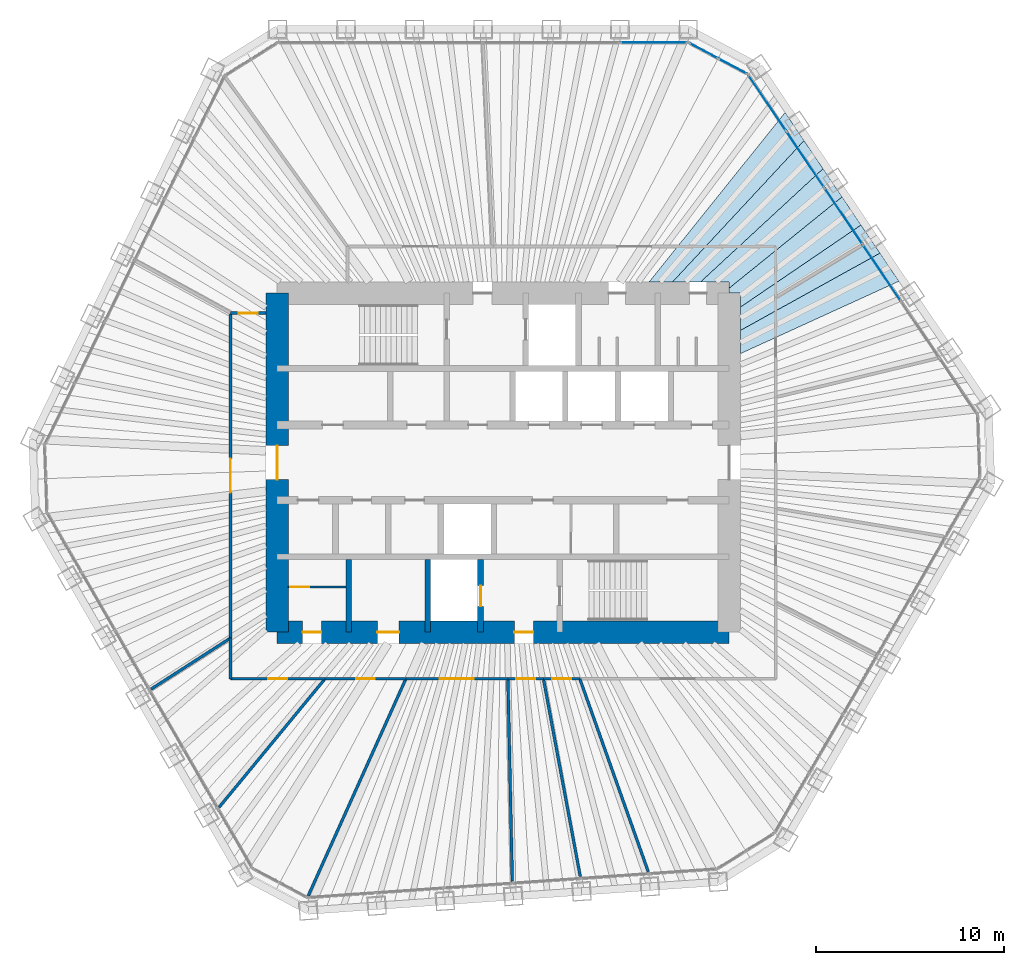
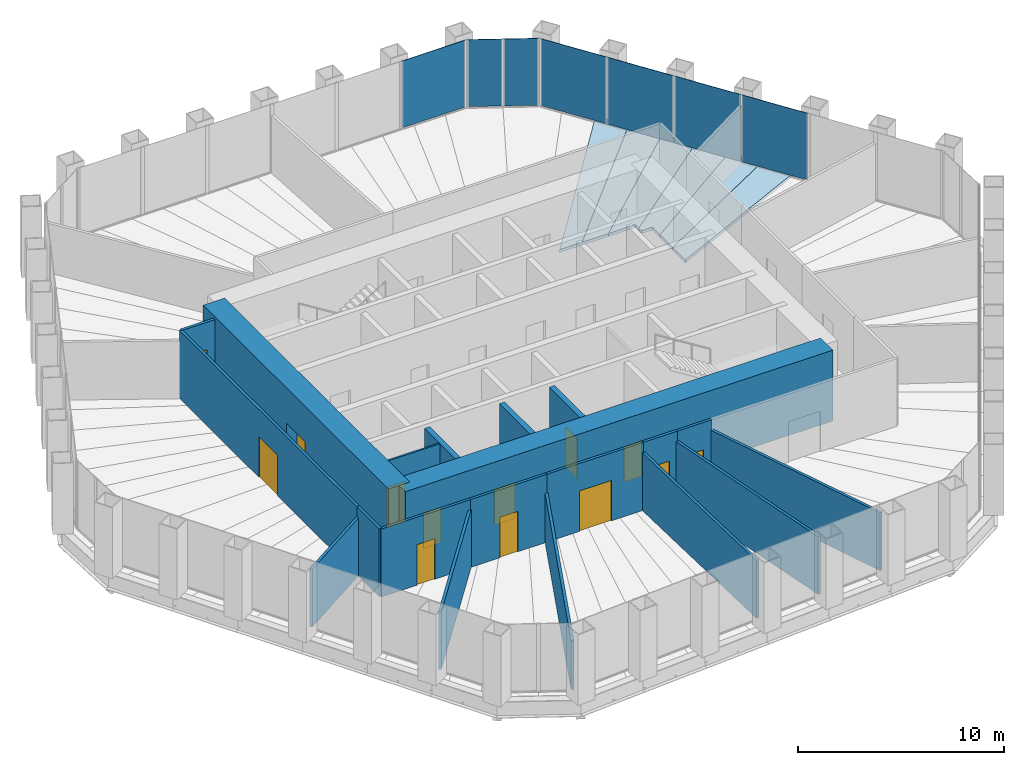
# One storey, part 10 of 13: 20 walls, 13 doors, 7 plates, 6 slabs, 13 openings, 3 elements without a shape of their own.
"""IFC4 building model written with IfcOpenShell, lengths in metres."""

from ifc_helpers import new_model, si_unit, direction, frame, frame_2d, origin, origin_2d, place, context, subcontext, project, spatial, polyline, rectangle, outline, extrude, material, layer, layer_set, type_object, element, fill, aggregate, save


model = new_model("IFC4")

# Units and contexts
model_context = context("Model", 3, precision=1e-05, world=origin(), true_north=direction((0.0, 1.0)))
body_context = subcontext(model_context, "Body", "Model", "MODEL_VIEW")
ifc_project = project(units=[si_unit("LENGTHUNIT", "METRE"), si_unit("AREAUNIT", "SQUARE_METRE"), si_unit("VOLUMEUNIT", "CUBIC_METRE"), si_unit("PLANEANGLEUNIT", "RADIAN"), si_unit("MASSUNIT", "GRAM", prefix="KILO")], contexts=[model_context])

# Site, building, storey
site_placement = place(None, origin())
site = spatial("IfcSite", under=ifc_project, at=site_placement, CompositionType="ELEMENT")
building_placement = place(site_placement, origin())
building = spatial("IfcBuilding", under=site, at=building_placement, Name="Qingtian Harvest Tower", CompositionType="ELEMENT")
storey_placement = place(building_placement, frame((0.0, 0.0, 222.39990234375)))
storey = spatial("IfcBuildingStorey", under=building, at=storey_placement, Name="L48", CompositionType="ELEMENT", Elevation=222.39990234375)

# Slabs
ifc_material_1 = material(Name="Concrete fc' 35 MPa", Category="concrete")
ifc_layer_1 = layer(ifc_material_1, 0.169921875)
ifc_layer_set_1 = layer_set([ifc_layer_1], Name="Composite floor slab FS17 170")
slab_type = type_object("IfcSlabType", Name="Composite floor slab FS17 170", PredefinedType="FLOOR", material=ifc_layer_set_1)
slab_1_placement = place(storey_placement, frame((0.0, 0.0, -0.169921875)))
element("IfcSlab", 1, at=slab_1_placement, inside=storey, type_object=slab_type, Name="Floor slab L48 panel D45", PredefinedType="FLOOR", context=body_context, shape_type="SweptSolid", body=[
    extrude(outline(polyline([(12.60009765625, 7.023681640625), (20.003662109375, 11.125244140625), (21.010986328125, 9.6318359375), (12.60009765625, 5.7900390625), (12.60009765625, 7.023681640625)])), origin(), (0.0, 0.0, 1.0), 0.169921875),
])
slab_2_placement = place(storey_placement, frame((0.0, 0.0, -0.169921875)))
element("IfcSlab", 2, at=slab_2_placement, inside=storey, type_object=slab_type, Name="Floor slab L48 panel D46", PredefinedType="FLOOR", context=body_context, shape_type="SweptSolid", body=[
    extrude(outline(polyline([(12.60009765625, 8.260498046875), (18.997802734375, 12.61669921875), (20.003662109375, 11.125244140625), (12.60009765625, 7.023681640625), (12.60009765625, 8.260498046875)])), origin(), (0.0, 0.0, 1.0), 0.169921875),
])
slab_3_placement = place(storey_placement, frame((0.0, 0.0, -0.169921875)))
element("IfcSlab", 3, at=slab_3_placement, inside=storey, type_object=slab_type, Name="Floor slab L48 panel D47", PredefinedType="FLOOR", context=body_context, shape_type="SweptSolid", body=[
    extrude(outline(polyline([(12.60009765625, 9.0), (12.0, 9.0), (12.0, 9.2666015625), (17.99072265625, 14.109375), (18.997802734375, 12.61669921875), (12.60009765625, 8.260498046875), (12.60009765625, 9.0)])), origin(), (0.0, 0.0, 1.0), 0.169921875),
])
slab_4_placement = place(storey_placement, frame((0.0, 0.0, -0.169921875)))
element("IfcSlab", 4, at=slab_4_placement, inside=storey, type_object=slab_type, Name="Floor slab L48 panel D48", PredefinedType="FLOOR", context=body_context, shape_type="SweptSolid", body=[
    extrude(outline(polyline([(12.0, 9.60009765625), (10.48583984375, 9.60009765625), (16.982177734375, 15.604736328125), (17.99072265625, 14.109375), (12.0, 9.2666015625), (12.0, 9.60009765625)])), origin(), (0.0, 0.0, 1.0), 0.169921875),
])
slab_5_placement = place(storey_placement, frame((0.0, 0.0, -0.169921875)))
element("IfcSlab", 5, at=slab_5_placement, inside=storey, type_object=slab_type, Name="Floor slab L48 panel D49", PredefinedType="FLOOR", context=body_context, shape_type="SweptSolid", body=[
    extrude(outline(polyline([(8.998291015625, 9.60009765625), (15.974853515625, 17.098388671875), (16.982177734375, 15.604736328125), (10.48583984375, 9.60009765625), (8.998291015625, 9.60009765625)])), origin(), (0.0, 0.0, 1.0), 0.169921875),
])
slab_6_placement = place(storey_placement, frame((0.0, 0.0, -0.169921875)))
element("IfcSlab", 6, at=slab_6_placement, inside=storey, type_object=slab_type, Name="Floor slab L48 panel D50", PredefinedType="FLOOR", context=body_context, shape_type="SweptSolid", body=[
    extrude(outline(polyline([(7.751220703125, 9.60009765625), (14.967529296875, 18.591796875), (15.974853515625, 17.098388671875), (8.998291015625, 9.60009765625), (7.751220703125, 9.60009765625)])), origin(), (0.0, 0.0, 1.0), 0.169921875),
])

# Curtain wall, plate
ifc_material_2 = material(Name="Bronze-anodised aluminium curtain wall", Category="aluminium")
curtain_wall_type = type_object("IfcCurtainWallType", Name="Curtain wall CW4 office", PredefinedType="USERDEFINED", material=ifc_material_2)
curtain_wall_1_placement = place(storey_placement, origin())
curtain_wall_1 = element("IfcCurtainWall", 7, at=curtain_wall_1_placement, inside=storey, type_object=curtain_wall_type, Name="Curtain wall CW4 L48 N0-5", ObjectType="RECESSED CURTAIN WALL", PredefinedType="USERDEFINED")
ifc_material_3 = material(Name="Bronze-tinted laminated insulating glass", Category="glass")
ifc_layer_2 = layer(ifc_material_3, 0.030029296875)
ifc_layer_set_2 = layer_set([ifc_layer_2], Name="Glazed panel CWP tinted IGU")
plate_type = type_object("IfcPlateType", Name="Glazed panel CWP tinted IGU", PredefinedType="CURTAIN_PANEL", material=ifc_layer_set_2)
plate_1_placement = place(storey_placement, frame((7.996337890625, 22.300048828125, 0.06494140625), z_axis=(0.0, 0.0, 1.0), x_axis=(1.0, 0.0, 0.0)))
plate_1 = element("IfcPlate", 8, at=plate_1_placement, type_object=plate_type, Name="CW4 panel 6.1", PredefinedType="CURTAIN_PANEL", context=body_context, shape_type="SweptSolid", body=[
    extrude(rectangle(XDim=3.5361328125, YDim=0.030029296875, at=origin_2d()), origin(), (0.0, 0.0, 1.0), 3.965087890625),
])
aggregate(curtain_wall_1, [plate_1])

# Curtain wall, plates
curtain_wall_2_placement = place(storey_placement, origin())
curtain_wall_2 = element("IfcCurtainWall", 9, at=curtain_wall_2_placement, inside=storey, type_object=curtain_wall_type, Name="Curtain wall CW4 L48 NC", ObjectType="RECESSED CURTAIN WALL", PredefinedType="USERDEFINED")
plate_2_placement = place(storey_placement, frame((10.634033203125, 21.8720703125, 0.06494140625), z_axis=(0.0, 0.0, 1.0), x_axis=(0.882947592859, -0.469471562786, 0.0)))
plate_2 = element("IfcPlate", 10, at=plate_2_placement, type_object=plate_type, Name="CW4 panel 1.1", PredefinedType="CURTAIN_PANEL", context=body_context, shape_type="SweptSolid", body=[
    extrude(rectangle(XDim=1.69287109375, YDim=0.030029296875, at=origin_2d()), origin(), (0.0, 0.0, 1.0), 3.965087890625),
])
plate_3_placement = place(storey_placement, frame((12.186279296875, 21.046875, 0.06494140625), z_axis=(0.0, 0.0, 1.0), x_axis=(0.882947592859, -0.469471562786, 0.0)))
plate_3 = element("IfcPlate", 11, at=plate_3_placement, type_object=plate_type, Name="CW4 panel 2.1", PredefinedType="CURTAIN_PANEL", context=body_context, shape_type="SweptSolid", body=[
    extrude(rectangle(XDim=1.69287109375, YDim=0.030029296875, at=origin_2d()), origin(), (0.0, 0.0, 1.0), 3.965087890625),
])
aggregate(curtain_wall_2, [plate_2, plate_3])

curtain_wall_3_placement = place(storey_placement, origin())
curtain_wall_3 = element("IfcCurtainWall", 12, at=curtain_wall_3_placement, inside=storey, type_object=curtain_wall_type, Name="Curtain wall CW4 L48 NE0-5", ObjectType="RECESSED CURTAIN WALL", PredefinedType="USERDEFINED")
plate_4_placement = place(storey_placement, frame((14.01611328125, 19.09912109375, 0.06494140625), z_axis=(0.0, 0.0, 1.0), x_axis=(0.559192903471, -0.829037572555, 0.0)))
plate_4 = element("IfcPlate", 13, at=plate_4_placement, type_object=plate_type, Name="CW4 panel 1.1", PredefinedType="CURTAIN_PANEL", context=body_context, shape_type="SweptSolid", body=[
    extrude(rectangle(XDim=3.5361328125, YDim=0.030029296875, at=origin_2d()), origin(), (0.0, 0.0, 1.0), 3.965087890625),
])
plate_5_placement = place(storey_placement, frame((16.038818359375, 16.100341796875, 0.06494140625), z_axis=(0.0, 0.0, 1.0), x_axis=(0.559192903471, -0.829037572555, 0.0)))
plate_5 = element("IfcPlate", 14, at=plate_5_placement, type_object=plate_type, Name="CW4 panel 2.1", PredefinedType="CURTAIN_PANEL", context=body_context, shape_type="SweptSolid", body=[
    extrude(rectangle(XDim=3.568603515625, YDim=0.030029296875, at=origin_2d()), origin(), (0.0, 0.0, 1.0), 3.965087890625),
])
plate_6_placement = place(storey_placement, frame((18.07080078125, 13.087890625, 0.06494140625), z_axis=(0.0, 0.0, 1.0), x_axis=(0.559192903471, -0.829037572555, 0.0)))
plate_6 = element("IfcPlate", 15, at=plate_6_placement, type_object=plate_type, Name="CW4 panel 3.1", PredefinedType="CURTAIN_PANEL", context=body_context, shape_type="SweptSolid", body=[
    extrude(rectangle(XDim=3.568603515625, YDim=0.030029296875, at=origin_2d()), origin(), (0.0, 0.0, 1.0), 3.965087890625),
])
plate_7_placement = place(storey_placement, frame((20.1025390625, 10.07568359375, 0.06494140625), z_axis=(0.0, 0.0, 1.0), x_axis=(0.559192903471, -0.829037572555, 0.0)))
plate_7 = element("IfcPlate", 16, at=plate_7_placement, type_object=plate_type, Name="CW4 panel 4.1", PredefinedType="CURTAIN_PANEL", context=body_context, shape_type="SweptSolid", body=[
    extrude(rectangle(XDim=3.568603515625, YDim=0.030029296875, at=origin_2d()), origin(), (0.0, 0.0, 1.0), 3.965087890625),
])
aggregate(curtain_wall_3, [plate_4, plate_5, plate_6, plate_7])

# Walls
ifc_material_4 = material(Name="Precast concrete shaft panel", Category="concrete")
ifc_layer_3 = layer(ifc_material_4, 0.300048828125)
ifc_layer_set_3 = layer_set([ifc_layer_3], Name="Core shaft partition SW1 300")
wall_type_1 = type_object("IfcWallType", Name="Core shaft partition SW1 300", PredefinedType="PARTITIONING", material=ifc_layer_set_3)
for number, where, z_axis, x_axis, name in (
    (17, (-8.199951171875, -9.0, 0.0), (0.0, 0.0, 1.0), (0.0, 1.0, 0.0), "Core shaft partition XS1 L48"),
    (18, (-4.0, -9.0, 0.0), (0.0, 0.0, 1.0), (0.0, 1.0, 0.0), "Core shaft partition XS2 L48"),
):
    element("IfcWall", number, at=place(storey_placement, frame(where, z_axis=z_axis, x_axis=x_axis)), inside=storey, type_object=wall_type_1, Name=name, PredefinedType="PARTITIONING", context=body_context, shape_type="SweptSolid", body=[
        extrude(rectangle(XDim=3.85009765625, YDim=0.300048828125, at=frame_2d((1.925048828125, 0.0))), origin(), (0.0, 0.0, 1.0), 3.97998046875),
    ])

# Wall, opening, door
wall_1_placement = place(storey_placement, frame((-1.199951171875, -9.0, 0.0), z_axis=(0.0, 0.0, 1.0), x_axis=(0.0, 1.0, 0.0)))
wall_1 = element("IfcWall", 19, at=wall_1_placement, inside=storey, type_object=wall_type_1, Name="Core shaft partition XS3 L48", PredefinedType="PARTITIONING", context=body_context, shape_type="SweptSolid", body=[
    extrude(rectangle(XDim=3.85009765625, YDim=0.300048828125, at=frame_2d((1.925048828125, 0.0))), origin(), (0.0, 0.0, 1.0), 3.97998046875),
])
opening_1_placement = place(wall_1_placement, frame((1.375, 0.0, 0.0)))
opening_1 = element("IfcOpeningElement", 20, at=opening_1_placement, cuts=wall_1, Name="Opening LD1", PredefinedType="OPENING", context=body_context, shape_type="SweptSolid", body=[
    extrude(rectangle(XDim=1.10009765625, YDim=2.39990234375, at=frame_2d((0.550048828125, 1.199951171875))), frame((0.0, 0.159912109375, 0.0), z_axis=(0.0, -1.0, 0.0), x_axis=(1.0, 0.0, 0.0)), (0.0, 0.0, 1.0), 0.320068359375),
])
ifc_material_5 = material(Name="Stainless steel lift landing door", Category="steel")
door_type_1 = type_object("IfcDoorType", Name="Lift landing door LD1 1 HR", OperationType="DOUBLE_DOOR_SLIDING", PredefinedType="DOOR", material=ifc_material_5)
door_1_placement = place(opening_1_placement, origin())
door_1 = element("IfcDoor", 21, at=door_1_placement, inside=storey, type_object=door_type_1, Name="FL2 landing door L48", OperationType="DOUBLE_DOOR_SLIDING", OverallHeight=2.39990234375, OverallWidth=1.10009765625, PredefinedType="DOOR", context=body_context, shape_type="SweptSolid", body=[
    extrude(rectangle(XDim=1.10009765625, YDim=2.39990234375, at=frame_2d((0.550048828125, 1.199951171875))), frame((0.0, 0.02490234375, 0.0), z_axis=(0.0, -1.0, 0.0), x_axis=(1.0, 0.0, 0.0)), (0.0, 0.0, 1.0), 0.050048828125),
])
fill(opening_1, door_1)

# Wall, openings, doors
ifc_material_6 = material(Name="Concrete fc' 70 MPa", Category="concrete")
ifc_layer_4 = layer(ifc_material_6, 1.199951171875)
ifc_layer_set_4 = layer_set([ifc_layer_4], Name="Core wall RC2 1200")
wall_type_2 = type_object("IfcWallType", Name="Core wall RC2 1200", PredefinedType="SHEAR", material=ifc_layer_set_4)
wall_2_placement = place(storey_placement, frame((-12.0, -9.0, 0.0), z_axis=(0.0, 0.0, 1.0), x_axis=(1.0, 0.0, 0.0)))
wall_2 = element("IfcWall", 22, at=wall_2_placement, inside=storey, type_object=wall_type_2, Name="Core wall CS L48", PredefinedType="SHEAR", context=body_context, shape_type="SweptSolid", body=[
    extrude(rectangle(XDim=24.0, YDim=1.199951171875, at=frame_2d((12.0, 0.0))), origin(), (0.0, 0.0, 1.0), 4.2001953125),
])
opening_2_placement = place(wall_2_placement, frame((1.35009765625, 0.0, 0.0)))
opening_2 = element("IfcOpeningElement", 23, at=opening_2_placement, cuts=wall_2, Name="Opening FD1", PredefinedType="OPENING", context=body_context, shape_type="SweptSolid", body=[
    extrude(rectangle(XDim=1.0, YDim=2.10009765625, at=frame_2d((0.5, 1.050048828125))), frame((0.0, 0.60986328125, 0.0), z_axis=(0.0, -1.0, 0.0), x_axis=(1.0, 0.0, 0.0)), (0.0, 0.0, 1.0), 1.219970703125),
])
opening_3_placement = place(wall_2_placement, frame((5.324951171875, 0.0, 0.0)))
opening_3 = element("IfcOpeningElement", 24, at=opening_3_placement, cuts=wall_2, Name="Opening AD1", PredefinedType="OPENING", context=body_context, shape_type="SweptSolid", body=[
    extrude(rectangle(XDim=1.14990234375, YDim=2.10009765625, at=frame_2d((0.574951171875, 1.050048828125))), frame((0.0, 0.60986328125, 0.0), z_axis=(0.0, -1.0, 0.0), x_axis=(1.0, 0.0, 0.0)), (0.0, 0.0, 1.0), 1.219970703125),
])
opening_4_placement = place(wall_2_placement, frame((12.60009765625, 0.0, 0.0)))
opening_4 = element("IfcOpeningElement", 25, at=opening_4_placement, cuts=wall_2, Name="Opening FD1", PredefinedType="OPENING", context=body_context, shape_type="SweptSolid", body=[
    extrude(rectangle(XDim=1.0, YDim=2.10009765625, at=frame_2d((0.5, 1.050048828125))), frame((0.0, 0.60986328125, 0.0), z_axis=(0.0, -1.0, 0.0), x_axis=(1.0, 0.0, 0.0)), (0.0, 0.0, 1.0), 1.219970703125),
])
ifc_material_7 = material(Name="Laminated timber door leaf", Category="wood")
door_type_2 = type_object("IfcDoorType", Name="Accessible WC door AD1 single", OperationType="SINGLE_SWING_LEFT", PredefinedType="DOOR", material=ifc_material_7)
door_2_placement = place(opening_3_placement, origin())
door_2 = element("IfcDoor", 26, at=door_2_placement, inside=storey, type_object=door_type_2, Name="AWC door L48", OperationType="SINGLE_SWING_LEFT", OverallHeight=2.10009765625, OverallWidth=1.14990234375, PredefinedType="DOOR", context=body_context, shape_type="SweptSolid", body=[
    extrude(rectangle(XDim=1.14990234375, YDim=2.10009765625, at=frame_2d((0.574951171875, 1.050048828125))), frame((0.0, 0.02490234375, 0.0), z_axis=(0.0, -1.0, 0.0), x_axis=(1.0, 0.0, 0.0)), (0.0, 0.0, 1.0), 0.050048828125),
])
fill(opening_3, door_2)
ifc_material_8 = material(Name="Steel-faced door leaf", Category="steel")
door_type_3 = type_object("IfcDoorType", Name="Fire door FD1 single 1 HR", OperationType="SINGLE_SWING_LEFT", PredefinedType="DOOR", material=ifc_material_8)
door_3_placement = place(opening_2_placement, origin())
door_3 = element("IfcDoor", 27, at=door_3_placement, inside=storey, type_object=door_type_3, Name="CLN door L48", OperationType="SINGLE_SWING_LEFT", OverallHeight=2.10009765625, OverallWidth=1.0, PredefinedType="DOOR", context=body_context, shape_type="SweptSolid", body=[
    extrude(rectangle(XDim=1.0, YDim=2.10009765625, at=frame_2d((0.5, 1.050048828125))), frame((0.0, 0.02490234375, 0.0), z_axis=(0.0, -1.0, 0.0), x_axis=(1.0, 0.0, 0.0)), (0.0, 0.0, 1.0), 0.050048828125),
])
fill(opening_2, door_3)
door_4_placement = place(opening_4_placement, origin())
door_4 = element("IfcDoor", 28, at=door_4_placement, inside=storey, type_object=door_type_3, Name="V2 door L48", OperationType="SINGLE_SWING_RIGHT", OverallHeight=2.10009765625, OverallWidth=1.0, PredefinedType="DOOR", context=body_context, shape_type="SweptSolid", body=[
    extrude(rectangle(XDim=1.0, YDim=2.10009765625, at=frame_2d((0.5, 1.050048828125))), frame((0.0, 0.02490234375, 0.0), z_axis=(0.0, -1.0, 0.0), x_axis=(1.0, 0.0, 0.0)), (0.0, 0.0, 1.0), 0.050048828125),
])
fill(opening_4, door_4)

# Wall, opening, door
wall_3_placement = place(storey_placement, frame((-12.0, -9.0, 0.0), z_axis=(0.0, 0.0, 1.0), x_axis=(0.0, 1.0, 0.0)))
wall_3 = element("IfcWall", 29, at=wall_3_placement, inside=storey, type_object=wall_type_2, Name="Core wall CW L48", PredefinedType="SHEAR", context=body_context, shape_type="SweptSolid", body=[
    extrude(rectangle(XDim=18.0, YDim=1.199951171875, at=frame_2d((9.0, 0.0))), origin(), (0.0, 0.0, 1.0), 4.2001953125),
])
opening_5_placement = place(wall_3_placement, frame((8.10009765625, 0.0, 0.0)))
opening_5 = element("IfcOpeningElement", 30, at=opening_5_placement, cuts=wall_3, Name="Opening FD2", PredefinedType="OPENING", context=body_context, shape_type="SweptSolid", body=[
    extrude(rectangle(XDim=1.800048828125, YDim=2.10009765625, at=frame_2d((0.89990234375, 1.050048828125))), frame((0.0, 0.60986328125, 0.0), z_axis=(0.0, -1.0, 0.0), x_axis=(1.0, 0.0, 0.0)), (0.0, 0.0, 1.0), 1.219970703125),
])
ifc_material_9 = material(Name="Steel-faced door leaf", Category="steel")
door_type_4 = type_object("IfcDoorType", Name="Fire door FD2 double 1 HR", OperationType="DOUBLE_DOOR_DOUBLE_SWING", PredefinedType="DOOR", material=ifc_material_9)
door_5_placement = place(opening_5_placement, origin())
door_5 = element("IfcDoor", 31, at=door_5_placement, inside=storey, type_object=door_type_4, Name="LOBBY-W door L48", OperationType="DOUBLE_DOOR_DOUBLE_SWING", OverallHeight=2.10009765625, OverallWidth=1.800048828125, PredefinedType="DOOR", context=body_context, shape_type="SweptSolid", body=[
    extrude(rectangle(XDim=1.800048828125, YDim=2.10009765625, at=frame_2d((0.89990234375, 1.050048828125))), frame((0.0, 0.02490234375, 0.0), z_axis=(0.0, -1.0, 0.0), x_axis=(1.0, 0.0, 0.0)), (0.0, 0.0, 1.0), 0.050048828125),
])
fill(opening_5, door_5)

# Wall
ifc_material_10 = material(Name="Gypsum board on steel studs", Category="steel")
ifc_layer_5 = layer(ifc_material_10, 0.14990234375)
ifc_layer_set_5 = layer_set([ifc_layer_5], Name="Partition PT1 150")
wall_type_3 = type_object("IfcWallType", Name="Partition PT1 150", PredefinedType="PARTITIONING", material=ifc_layer_set_5)
wall_4_placement = place(storey_placement, frame((-18.692626953125, -12.023681640625, 0.0), z_axis=(0.0, 0.0, 1.0), x_axis=(0.841031335058, 0.540986407824, 0.0)))
element("IfcWall", 32, at=wall_4_placement, inside=storey, type_object=wall_type_3, Name="Office suite wall L48", PredefinedType="PARTITIONING", context=body_context, shape_type="SweptSolid", body=[
    extrude(rectangle(XDim=5.0146484375, YDim=0.14990234375, at=frame_2d((2.50732421875, 0.0))), origin(), (0.0, 0.0, 1.0), 3.43017578125),
])

# Wall, opening, door
wall_5_placement = place(storey_placement, frame((-14.47509765625, -9.310791015625, 0.0), z_axis=(0.0, 0.0, 1.0), x_axis=(0.0, 1.0, 0.0)))
wall_5 = element("IfcWall", 33, at=wall_5_placement, inside=storey, type_object=wall_type_3, Name="Office suite wall L48", PredefinedType="PARTITIONING", context=body_context, shape_type="SweptSolid", body=[
    extrude(rectangle(XDim=17.252197265625, YDim=0.14990234375, at=frame_2d((8.6259765625, 0.0))), origin(), (0.0, 0.0, 1.0), 4.030029296875),
])
opening_6_placement = place(wall_5_placement, frame((7.72607421875, 0.0, 0.0)))
opening_6 = element("IfcOpeningElement", 34, at=opening_6_placement, cuts=wall_5, Name="Opening D3", PredefinedType="OPENING", context=body_context, shape_type="SweptSolid", body=[
    extrude(rectangle(XDim=1.800048828125, YDim=2.39990234375, at=frame_2d((0.89990234375, 1.199951171875))), frame((0.0, 0.0849609375, 0.0), z_axis=(0.0, -1.0, 0.0), x_axis=(1.0, 0.0, 0.0)), (0.0, 0.0, 1.0), 0.169921875),
])
ifc_material_11 = material(Name="Laminated timber door leaf", Category="wood")
door_type_5 = type_object("IfcDoorType", Name="Room door D3 double", OperationType="DOUBLE_DOOR_DOUBLE_SWING", PredefinedType="DOOR", material=ifc_material_11)
door_6_placement = place(opening_6_placement, origin())
door_6 = element("IfcDoor", 35, at=door_6_placement, inside=storey, type_object=door_type_5, Name="Office suite door L48", OperationType="DOUBLE_DOOR_DOUBLE_SWING", OverallHeight=2.39990234375, OverallWidth=1.800048828125, PredefinedType="DOOR", context=body_context, shape_type="SweptSolid", body=[
    extrude(rectangle(XDim=1.800048828125, YDim=2.39990234375, at=frame_2d((0.89990234375, 1.199951171875))), frame((0.0, 0.02490234375, 0.0), z_axis=(0.0, -1.0, 0.0), x_axis=(1.0, 0.0, 0.0)), (0.0, 0.0, 1.0), 0.050048828125),
])
fill(opening_6, door_6)

wall_6_placement = place(storey_placement, frame((-14.47509765625, 7.94140625, 0.0), z_axis=(0.0, 0.0, 1.0), x_axis=(1.0, 0.0, 0.0)))
wall_6 = element("IfcWall", 36, at=wall_6_placement, inside=storey, type_object=wall_type_3, Name="Office suite wall L48", PredefinedType="PARTITIONING", context=body_context, shape_type="SweptSolid", body=[
    extrude(rectangle(XDim=1.875, YDim=0.14990234375, at=frame_2d((0.9375, 0.0))), origin(), (0.0, 0.0, 1.0), 4.030029296875),
])
opening_7_placement = place(wall_6_placement, frame((0.4375, 0.0, 0.0)))
opening_7 = element("IfcOpeningElement", 37, at=opening_7_placement, cuts=wall_6, Name="Opening D2", PredefinedType="OPENING", context=body_context, shape_type="SweptSolid", body=[
    extrude(rectangle(XDim=1.0, YDim=2.39990234375, at=frame_2d((0.5, 1.199951171875))), frame((0.0, 0.0849609375, 0.0), z_axis=(0.0, -1.0, 0.0), x_axis=(1.0, 0.0, 0.0)), (0.0, 0.0, 1.0), 0.169921875),
])
ifc_material_12 = material(Name="Laminated timber door leaf", Category="wood")
door_type_6 = type_object("IfcDoorType", Name="Room door D2 single", OperationType="SINGLE_SWING_LEFT", PredefinedType="DOOR", material=ifc_material_12)
door_7_placement = place(opening_7_placement, origin())
door_7 = element("IfcDoor", 38, at=door_7_placement, inside=storey, type_object=door_type_6, Name="Office suite door L48", OperationType="SINGLE_SWING_RIGHT", OverallHeight=2.39990234375, OverallWidth=1.0, PredefinedType="DOOR", context=body_context, shape_type="SweptSolid", body=[
    extrude(rectangle(XDim=1.0, YDim=2.39990234375, at=frame_2d((0.5, 1.199951171875))), frame((0.0, 0.02490234375, 0.0), z_axis=(0.0, -1.0, 0.0), x_axis=(1.0, 0.0, 0.0)), (0.0, 0.0, 1.0), 0.050048828125),
])
fill(opening_7, door_7)

# Wall
wall_7_placement = place(storey_placement, frame((7.702880859375, -21.71923828125, 0.0), z_axis=(0.0, 0.0, 1.0), x_axis=(-0.334269551553, 0.942477515331, 0.0)))
element("IfcWall", 39, at=wall_7_placement, inside=storey, type_object=wall_type_3, Name="Focus room wall L48", PredefinedType="PARTITIONING", context=body_context, shape_type="SweptSolid", body=[
    extrude(rectangle(XDim=10.869384765625, YDim=0.14990234375, at=frame_2d((5.4345703125, 0.0))), origin(), (0.0, 0.0, 1.0), 3.43017578125),
])

# Wall, opening, door
wall_8_placement = place(storey_placement, frame((4.069580078125, -11.47509765625, 0.0), z_axis=(0.0, 0.0, 1.0), x_axis=(-1.0, 0.0, 0.0)))
wall_8 = element("IfcWall", 40, at=wall_8_placement, inside=storey, type_object=wall_type_3, Name="Focus room wall L48", PredefinedType="PARTITIONING", context=body_context, shape_type="SweptSolid", body=[
    extrude(rectangle(XDim=1.931640625, YDim=0.14990234375, at=frame_2d((0.9658203125, 0.0))), origin(), (0.0, 0.0, 1.0), 4.030029296875),
])
opening_8_placement = place(wall_8_placement, frame((0.4658203125, 0.0, 0.0)))
opening_8 = element("IfcOpeningElement", 41, at=opening_8_placement, cuts=wall_8, Name="Opening D2", PredefinedType="OPENING", context=body_context, shape_type="SweptSolid", body=[
    extrude(rectangle(XDim=1.0, YDim=2.39990234375, at=frame_2d((0.5, 1.199951171875))), frame((0.0, 0.0849609375, 0.0), z_axis=(0.0, -1.0, 0.0), x_axis=(1.0, 0.0, 0.0)), (0.0, 0.0, 1.0), 0.169921875),
])
door_8_placement = place(opening_8_placement, origin())
door_8 = element("IfcDoor", 42, at=door_8_placement, inside=storey, type_object=door_type_6, Name="Focus room door L48", OperationType="SINGLE_SWING_LEFT", OverallHeight=2.39990234375, OverallWidth=1.0, PredefinedType="DOOR", context=body_context, shape_type="SweptSolid", body=[
    extrude(rectangle(XDim=1.0, YDim=2.39990234375, at=frame_2d((0.5, 1.199951171875))), frame((0.0, 0.02490234375, 0.0), z_axis=(0.0, -1.0, 0.0), x_axis=(1.0, 0.0, 0.0)), (0.0, 0.0, 1.0), 0.050048828125),
])
fill(opening_8, door_8)

# Wall
wall_9_placement = place(storey_placement, frame((4.09326171875, -21.96875, 0.0), z_axis=(0.0, 0.0, 1.0), x_axis=(-0.183180901121, 0.983079222374, 0.0)))
element("IfcWall", 43, at=wall_9_placement, inside=storey, type_object=wall_type_3, Name="Print room wall L48", PredefinedType="PARTITIONING", context=body_context, shape_type="SweptSolid", body=[
    extrude(rectangle(XDim=10.67431640625, YDim=0.14990234375, at=frame_2d((5.337158203125, 0.0))), origin(), (0.0, 0.0, 1.0), 3.43017578125),
])

# Wall, opening, door
wall_10_placement = place(storey_placement, frame((2.137939453125, -11.47509765625, 0.0), z_axis=(0.0, 0.0, 1.0), x_axis=(-1.0, 0.0, 0.0)))
wall_10 = element("IfcWall", 44, at=wall_10_placement, inside=storey, type_object=wall_type_3, Name="Print room wall L48", PredefinedType="PARTITIONING", context=body_context, shape_type="SweptSolid", body=[
    extrude(rectangle(XDim=1.8876953125, YDim=0.14990234375, at=frame_2d((0.94384765625, 0.0))), origin(), (0.0, 0.0, 1.0), 4.030029296875),
])
opening_9_placement = place(wall_10_placement, frame((0.44384765625, 0.0, 0.0)))
opening_9 = element("IfcOpeningElement", 45, at=opening_9_placement, cuts=wall_10, Name="Opening D2", PredefinedType="OPENING", context=body_context, shape_type="SweptSolid", body=[
    extrude(rectangle(XDim=1.0, YDim=2.39990234375, at=frame_2d((0.5, 1.199951171875))), frame((0.0, 0.0849609375, 0.0), z_axis=(0.0, -1.0, 0.0), x_axis=(1.0, 0.0, 0.0)), (0.0, 0.0, 1.0), 0.169921875),
])
door_9_placement = place(opening_9_placement, origin())
door_9 = element("IfcDoor", 46, at=door_9_placement, inside=storey, type_object=door_type_6, Name="Print room door L48", OperationType="SINGLE_SWING_LEFT", OverallHeight=2.39990234375, OverallWidth=1.0, PredefinedType="DOOR", context=body_context, shape_type="SweptSolid", body=[
    extrude(rectangle(XDim=1.0, YDim=2.39990234375, at=frame_2d((0.5, 1.199951171875))), frame((0.0, 0.02490234375, 0.0), z_axis=(0.0, -1.0, 0.0), x_axis=(1.0, 0.0, 0.0)), (0.0, 0.0, 1.0), 0.050048828125),
])
fill(opening_9, door_9)

# Wall
wall_11_placement = place(storey_placement, frame((0.484619140625, -22.220458984375, 0.0), z_axis=(0.0, 0.0, 1.0), x_axis=(-0.021806550804, 0.999762208899, 0.0)))
element("IfcWall", 47, at=wall_11_placement, inside=storey, type_object=wall_type_3, Name="Office suite wall L48", PredefinedType="PARTITIONING", context=body_context, shape_type="SweptSolid", body=[
    extrude(rectangle(XDim=10.747802734375, YDim=0.14990234375, at=frame_2d((5.3740234375, 0.0))), origin(), (0.0, 0.0, 1.0), 3.43017578125),
])

# Wall, opening, door
wall_12_placement = place(storey_placement, frame((0.250244140625, -11.47509765625, 0.0), z_axis=(0.0, 0.0, 1.0), x_axis=(-1.0, 0.0, 0.0)))
wall_12 = element("IfcWall", 48, at=wall_12_placement, inside=storey, type_object=wall_type_3, Name="Office suite wall L48", PredefinedType="PARTITIONING", context=body_context, shape_type="SweptSolid", body=[
    extrude(rectangle(XDim=5.41455078125, YDim=0.14990234375, at=frame_2d((2.707275390625, 0.0))), origin(), (0.0, 0.0, 1.0), 4.030029296875),
])
opening_10_placement = place(wall_12_placement, frame((1.80712890625, 0.0, 0.0)))
opening_10 = element("IfcOpeningElement", 49, at=opening_10_placement, cuts=wall_12, Name="Opening D3", PredefinedType="OPENING", context=body_context, shape_type="SweptSolid", body=[
    extrude(rectangle(XDim=1.800048828125, YDim=2.39990234375, at=frame_2d((0.89990234375, 1.199951171875))), frame((0.0, 0.0849609375, 0.0), z_axis=(0.0, -1.0, 0.0), x_axis=(1.0, 0.0, 0.0)), (0.0, 0.0, 1.0), 0.169921875),
])
door_10_placement = place(opening_10_placement, origin())
door_10 = element("IfcDoor", 50, at=door_10_placement, inside=storey, type_object=door_type_5, Name="Office suite door L48", OperationType="DOUBLE_DOOR_DOUBLE_SWING", OverallHeight=2.39990234375, OverallWidth=1.800048828125, PredefinedType="DOOR", context=body_context, shape_type="SweptSolid", body=[
    extrude(rectangle(XDim=1.800048828125, YDim=2.39990234375, at=frame_2d((0.89990234375, 1.199951171875))), frame((0.0, 0.02490234375, 0.0), z_axis=(0.0, -1.0, 0.0), x_axis=(1.0, 0.0, 0.0)), (0.0, 0.0, 1.0), 0.050048828125),
])
fill(opening_10, door_10)

# Wall
wall_13_placement = place(storey_placement, frame((-10.34619140625, -22.989501953125, 0.0), z_axis=(0.0, 0.0, 1.0), x_axis=(0.410391207886, 0.91190956596, 0.0)))
element("IfcWall", 51, at=wall_13_placement, inside=storey, type_object=wall_type_3, Name="Store room wall L48", PredefinedType="PARTITIONING", context=body_context, shape_type="SweptSolid", body=[
    extrude(rectangle(XDim=12.626708984375, YDim=0.14990234375, at=frame_2d((6.3134765625, 0.0))), origin(), (0.0, 0.0, 1.0), 2.93017578125),
])

# Wall, opening, door
wall_14_placement = place(storey_placement, frame((-5.164306640625, -11.47509765625, 0.0), z_axis=(0.0, 0.0, 1.0), x_axis=(-1.0, 0.0, 0.0)))
wall_14 = element("IfcWall", 52, at=wall_14_placement, inside=storey, type_object=wall_type_3, Name="Store room wall L48", PredefinedType="PARTITIONING", context=body_context, shape_type="SweptSolid", body=[
    extrude(rectangle(XDim=4.29443359375, YDim=0.14990234375, at=frame_2d((2.147216796875, 0.0))), origin(), (0.0, 0.0, 1.0), 4.030029296875),
])
opening_11_placement = place(wall_14_placement, frame((1.647216796875, 0.0, 0.0)))
opening_11 = element("IfcOpeningElement", 53, at=opening_11_placement, cuts=wall_14, Name="Opening D2", PredefinedType="OPENING", context=body_context, shape_type="SweptSolid", body=[
    extrude(rectangle(XDim=1.0, YDim=2.39990234375, at=frame_2d((0.5, 1.199951171875))), frame((0.0, 0.0849609375, 0.0), z_axis=(0.0, -1.0, 0.0), x_axis=(1.0, 0.0, 0.0)), (0.0, 0.0, 1.0), 0.169921875),
])
door_11_placement = place(opening_11_placement, origin())
door_11 = element("IfcDoor", 54, at=door_11_placement, inside=storey, type_object=door_type_6, Name="Store room door L48", OperationType="SINGLE_SWING_RIGHT", OverallHeight=2.39990234375, OverallWidth=1.0, PredefinedType="DOOR", context=body_context, shape_type="SweptSolid", body=[
    extrude(rectangle(XDim=1.0, YDim=2.39990234375, at=frame_2d((0.5, 1.199951171875))), frame((0.0, 0.02490234375, 0.0), z_axis=(0.0, -1.0, 0.0), x_axis=(1.0, 0.0, 0.0)), (0.0, 0.0, 1.0), 0.050048828125),
])
fill(opening_11, door_11)

# Wall
wall_15_placement = place(storey_placement, frame((-15.07958984375, -18.294189453125, 0.0), z_axis=(0.0, 0.0, 1.0), x_axis=(0.636052894953, 0.771645459277, 0.0)))
element("IfcWall", 55, at=wall_15_placement, inside=storey, type_object=wall_type_3, Name="Meeting room wall L48", PredefinedType="PARTITIONING", context=body_context, shape_type="SweptSolid", body=[
    extrude(rectangle(XDim=8.837158203125, YDim=0.14990234375, at=frame_2d((4.41845703125, 0.0))), origin(), (0.0, 0.0, 1.0), 3.43017578125),
])

# Wall, opening, door
wall_16_placement = place(storey_placement, frame((-9.458740234375, -11.47509765625, 0.0), z_axis=(0.0, 0.0, 1.0), x_axis=(-1.0, 0.0, 0.0)))
wall_16 = element("IfcWall", 56, at=wall_16_placement, inside=storey, type_object=wall_type_3, Name="Meeting room wall L48", PredefinedType="PARTITIONING", context=body_context, shape_type="SweptSolid", body=[
    extrude(rectangle(XDim=5.016357421875, YDim=0.14990234375, at=frame_2d((2.50830078125, 0.0))), origin(), (0.0, 0.0, 1.0), 4.030029296875),
])
opening_12_placement = place(wall_16_placement, frame((2.00830078125, 0.0, 0.0)))
opening_12 = element("IfcOpeningElement", 57, at=opening_12_placement, cuts=wall_16, Name="Opening D2", PredefinedType="OPENING", context=body_context, shape_type="SweptSolid", body=[
    extrude(rectangle(XDim=1.0, YDim=2.39990234375, at=frame_2d((0.5, 1.199951171875))), frame((0.0, 0.0849609375, 0.0), z_axis=(0.0, -1.0, 0.0), x_axis=(1.0, 0.0, 0.0)), (0.0, 0.0, 1.0), 0.169921875),
])
door_12_placement = place(opening_12_placement, origin())
door_12 = element("IfcDoor", 58, at=door_12_placement, inside=storey, type_object=door_type_6, Name="Meeting room door L48", OperationType="SINGLE_SWING_RIGHT", OverallHeight=2.39990234375, OverallWidth=1.0, PredefinedType="DOOR", context=body_context, shape_type="SweptSolid", body=[
    extrude(rectangle(XDim=1.0, YDim=2.39990234375, at=frame_2d((0.5, 1.199951171875))), frame((0.0, 0.02490234375, 0.0), z_axis=(0.0, -1.0, 0.0), x_axis=(1.0, 0.0, 0.0)), (0.0, 0.0, 1.0), 0.050048828125),
])
fill(opening_12, door_12)

# Wall
wall_17_placement = place(storey_placement, frame((-14.47509765625, -11.47509765625, 0.0), z_axis=(0.0, 0.0, 1.0), x_axis=(0.0, 1.0, 0.0)))
element("IfcWall", 59, at=wall_17_placement, inside=storey, type_object=wall_type_3, Name="Meeting room wall L48", PredefinedType="PARTITIONING", context=body_context, shape_type="SweptSolid", body=[
    extrude(rectangle(XDim=2.164306640625, YDim=0.14990234375, at=frame_2d((1.08203125, 0.0))), origin(), (0.0, 0.0, 1.0), 4.030029296875),
])

# Wall, opening, door
ifc_material_13 = material(Name="Concrete block partition", Category="concrete")
ifc_layer_6 = layer(ifc_material_13, 0.10009765625)
ifc_layer_set_6 = layer_set([ifc_layer_6], Name="Store partition PT3 100")
wall_type_4 = type_object("IfcWallType", Name="Store partition PT3 100", PredefinedType="PARTITIONING", material=ifc_layer_set_6)
wall_18_placement = place(storey_placement, frame((-11.39990234375, -6.60009765625, 0.0), z_axis=(0.0, 0.0, 1.0), x_axis=(1.0, 0.0, 0.0)))
wall_18 = element("IfcWall", 60, at=wall_18_placement, inside=storey, type_object=wall_type_4, Name="Waste store wall L48", PredefinedType="PARTITIONING", context=body_context, shape_type="SweptSolid", body=[
    extrude(rectangle(XDim=3.0498046875, YDim=0.10009765625, at=frame_2d((1.52490234375, 0.0))), origin(), (0.0, 0.0, 1.0), 3.97998046875),
])
opening_13_placement = place(wall_18_placement, frame((0.10009765625, 0.0, 0.0)))
opening_13 = element("IfcOpeningElement", 61, at=opening_13_placement, cuts=wall_18, Name="Opening D2", PredefinedType="OPENING", context=body_context, shape_type="SweptSolid", body=[
    extrude(rectangle(XDim=1.0, YDim=2.39990234375, at=frame_2d((0.5, 1.199951171875))), frame((0.0, 0.06005859375, 0.0), z_axis=(0.0, -1.0, 0.0), x_axis=(1.0, 0.0, 0.0)), (0.0, 0.0, 1.0), 0.1201171875),
])
door_13_placement = place(opening_13_placement, origin())
door_13 = element("IfcDoor", 62, at=door_13_placement, inside=storey, type_object=door_type_6, Name="Waste store door L48", OperationType="SINGLE_SWING_LEFT", OverallHeight=2.39990234375, OverallWidth=1.0, PredefinedType="DOOR", context=body_context, shape_type="SweptSolid", body=[
    extrude(rectangle(XDim=1.0, YDim=2.39990234375, at=frame_2d((0.5, 1.199951171875))), frame((0.0, 0.02490234375, 0.0), z_axis=(0.0, -1.0, 0.0), x_axis=(1.0, 0.0, 0.0)), (0.0, 0.0, 1.0), 0.050048828125),
])
fill(opening_13, door_13)

save(model, "model.ifc")
